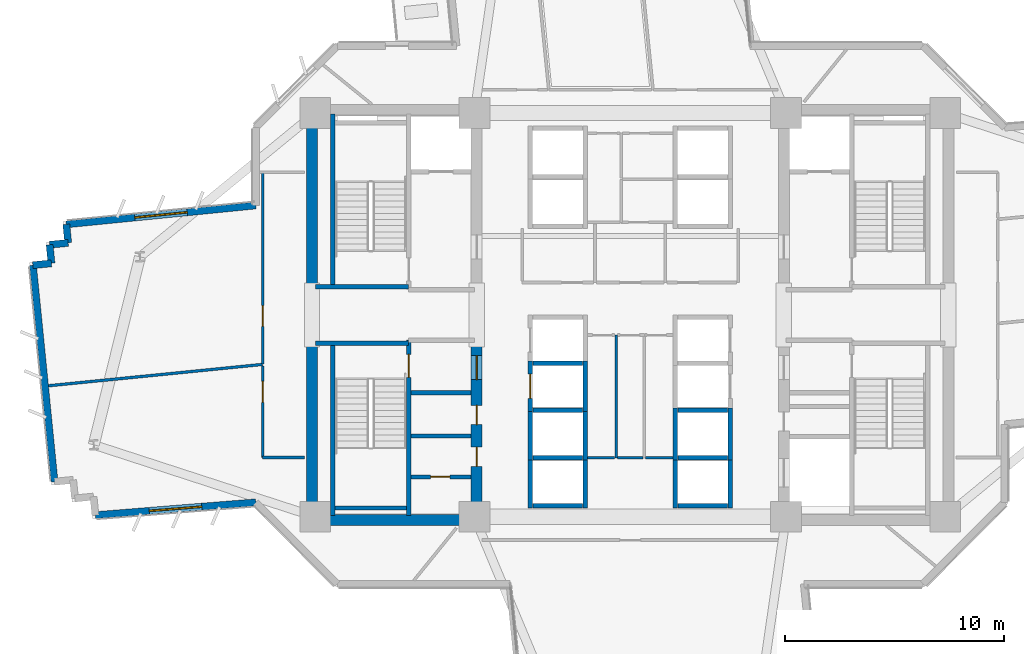
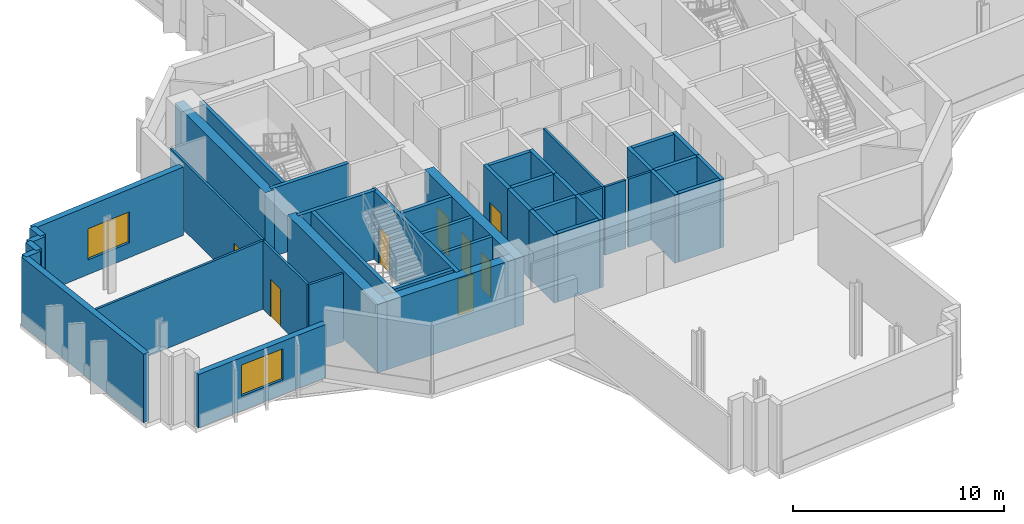
# One storey, part 6 of 14: 45 walls, 8 doors, 2 windows, 10 openings.
"""IFC4 building model written with IfcOpenShell, lengths in metres."""

from ifc_helpers import new_model, si_unit, direction, frame, frame_2d, origin, place, context, subcontext, project, spatial, rectangle, extrude, source, transform, mapped, material, layer, layer_set, type_object, element, fill, save


model = new_model("IFC4")

# Units and contexts
model_context = context("Model", 3, precision=1e-05, world=origin(), true_north=direction((0.0, 1.0)))
body_context = subcontext(model_context, "Body", "Model", "MODEL_VIEW")
ifc_project = project(units=[si_unit("LENGTHUNIT", "METRE"), si_unit("AREAUNIT", "SQUARE_METRE"), si_unit("VOLUMEUNIT", "CUBIC_METRE"), si_unit("PLANEANGLEUNIT", "RADIAN"), si_unit("MASSUNIT", "GRAM", prefix="KILO")], contexts=[model_context])

# Site, building, storey
site_placement = place(None, origin())
site = spatial("IfcSite", under=ifc_project, at=site_placement, CompositionType="ELEMENT")
building_placement = place(site_placement, origin())
building = spatial("IfcBuilding", under=site, at=building_placement, Name="Zahravan Cultural Tower", CompositionType="ELEMENT")
storey_placement = place(building_placement, frame((0.0, 0.0, 92.10009765625)))
storey = spatial("IfcBuildingStorey", under=building, at=storey_placement, Name="L20", CompositionType="ELEMENT", Elevation=92.10009765625)

# Wall, openings, doors
ifc_material_1 = material(Name="Concrete C60/75", Category="concrete")
ifc_layer_1 = layer(ifc_material_1, 0.5)
ifc_layer_set_1 = layer_set([ifc_layer_1], Name="Concrete C60/75")
wall_type_1 = type_object("IfcWallType", Name="CW-SHEAR-500-C60", PredefinedType="SHEAR", material=ifc_layer_set_1)
wall_1_placement = place(storey_placement, frame((29.0, 17.39990234375, 0.0), z_axis=(0.0, 0.0, 1.0), x_axis=(0.0, 1.0, 0.0)))
wall_1 = element("IfcWall", 1, at=wall_1_placement, inside=storey, type_object=wall_type_1, Name="L20 Core Shear Wall CW-W-ES-L20", PredefinedType="SHEAR", context=body_context, shape_type="SweptSolid", body=[
    extrude(rectangle(XDim=8.550048828125, YDim=0.5, at=frame_2d((4.27490234375, 0.0))), origin(), (0.0, 0.0, 1.0), 3.949951171875),
])
opening_1_placement = place(wall_1_placement, frame((6.64990234375, 0.0, 0.0)))
opening_1 = element("IfcOpeningElement", 2, at=opening_1_placement, cuts=wall_1, Name="Opening D-L20-07", PredefinedType="OPENING", context=body_context, shape_type="SweptSolid", body=[
    extrude(rectangle(XDim=1.10009765625, YDim=2.199951171875, at=frame_2d((0.550048828125, 1.10009765625))), frame((0.0, 0.260009765625, 0.0), z_axis=(0.0, -1.0, 0.0), x_axis=(1.0, 0.0, 0.0)), (0.0, 0.0, 1.0), 0.52001953125),
])
opening_2_placement = place(wall_1_placement, frame((2.699951171875, 0.0, 0.0)))
opening_2 = element("IfcOpeningElement", 3, at=opening_2_placement, cuts=wall_1, Name="Opening D-L20-10", PredefinedType="OPENING", context=body_context, shape_type="SweptSolid", body=[
    extrude(rectangle(XDim=0.8798828125, YDim=2.10009765625, at=frame_2d((0.43994140625, 1.050048828125))), frame((0.0, 0.260009765625, 0.0), z_axis=(0.0, -1.0, 0.0), x_axis=(1.0, 0.0, 0.0)), (0.0, 0.0, 1.0), 0.52001953125),
])
opening_3_placement = place(wall_1_placement, frame((4.60009765625, 0.0, 0.0)))
opening_3 = element("IfcOpeningElement", 4, at=opening_3_placement, cuts=wall_1, Name="Opening D-L20-11", PredefinedType="OPENING", context=body_context, shape_type="SweptSolid", body=[
    extrude(rectangle(XDim=0.8798828125, YDim=2.10009765625, at=frame_2d((0.43994140625, 1.050048828125))), frame((0.0, 0.260009765625, 0.0), z_axis=(0.0, -1.0, 0.0), x_axis=(1.0, 0.0, 0.0)), (0.0, 0.0, 1.0), 0.52001953125),
])
ifc_material_2 = material(Name="Steel ASTM A572 Grade 50", Category="steel")
door_type_1 = type_object("IfcDoorType", Name="DR-LOBBY-1100", OperationType="NOTDEFINED", PredefinedType="DOOR", material=ifc_material_2)
shared_shape_1 = source(origin(), body_context, "Body", "SweptSolid", [
    extrude(rectangle(XDim=1.10009765625, YDim=2.199951171875, at=frame_2d((0.550048828125, 1.10009765625))), frame((0.0, 0.02490234375, 0.0), z_axis=(0.0, -1.0, 0.0), x_axis=(1.0, 0.0, 0.0)), (0.0, 0.0, 1.0), 0.050048828125),
])
door_1_placement = place(opening_1_placement, origin())
door_1 = element("IfcDoor", 5, at=door_1_placement, inside=storey, type_object=door_type_1, Name="L20 Door D-L20-07", OperationType="SINGLE_SWING_RIGHT", OverallHeight=2.199951171875, OverallWidth=1.10009765625, PredefinedType="DOOR", context=body_context, shape_type="MappedRepresentation", body=[
    mapped(shared_shape_1, transform((0.0, 0.0, 0.0), x_axis=(1.0, 0.0, 0.0), y_axis=(0.0, 1.0, 0.0), z_axis=(0.0, 0.0, 1.0), scale=1.0)),
])
fill(opening_1, door_1)
door_type_2 = type_object("IfcDoorType", Name="DR-SVC-880", OperationType="NOTDEFINED", PredefinedType="DOOR", material=ifc_material_2)
shared_shape_2 = source(origin(), body_context, "Body", "SweptSolid", [
    extrude(rectangle(XDim=0.8798828125, YDim=2.10009765625, at=frame_2d((0.43994140625, 1.050048828125))), frame((0.0, 0.02490234375, 0.0), z_axis=(0.0, -1.0, 0.0), x_axis=(1.0, 0.0, 0.0)), (0.0, 0.0, 1.0), 0.050048828125),
])
door_2_placement = place(opening_2_placement, origin())
door_2 = element("IfcDoor", 6, at=door_2_placement, inside=storey, type_object=door_type_2, Name="L20 Door D-L20-10", OperationType="SINGLE_SWING_LEFT", OverallHeight=2.10009765625, OverallWidth=0.8798828125, PredefinedType="DOOR", context=body_context, shape_type="MappedRepresentation", body=[
    mapped(shared_shape_2, transform((0.0, 0.0, 0.0), x_axis=(1.0, 0.0, 0.0), y_axis=(0.0, 1.0, 0.0), z_axis=(0.0, 0.0, 1.0), scale=1.0)),
])
fill(opening_2, door_2)
door_3_placement = place(opening_3_placement, origin())
door_3 = element("IfcDoor", 7, at=door_3_placement, inside=storey, type_object=door_type_2, Name="L20 Door D-L20-11", OperationType="SINGLE_SWING_RIGHT", OverallHeight=2.10009765625, OverallWidth=0.8798828125, PredefinedType="DOOR", context=body_context, shape_type="MappedRepresentation", body=[
    mapped(shared_shape_2, transform((0.0, 0.0, 0.0), x_axis=(1.0, 0.0, 0.0), y_axis=(0.0, 1.0, 0.0), z_axis=(0.0, 0.0, 1.0), scale=1.0)),
])
fill(opening_3, door_3)

# Wall, opening, window
ifc_material_3 = material(Name="Precast concrete C40/50", Category="concrete")
ifc_layer_2 = layer(ifc_material_3, 0.320068359375)
ifc_layer_set_2 = layer_set([ifc_layer_2], Name="Precast concrete C40/50")
wall_type_2 = type_object("IfcWallType", Name="EW-TC-320", PredefinedType="SOLIDWALL", material=ifc_layer_set_2)
wall_2_placement = place(storey_placement, frame((18.93994140625, 18.4580078125, 0.0), z_axis=(0.0, 0.0, 1.0), x_axis=(-0.996827539556, -0.079591811023, 0.0)))
wall_2 = element("IfcWall", 8, at=wall_2_placement, inside=storey, type_object=wall_type_2, Name="L20 Exterior Masonry Frame Wall 01", PredefinedType="SOLIDWALL", context=body_context, shape_type="SweptSolid", body=[
    extrude(rectangle(XDim=7.337158203125, YDim=0.320068359375, at=frame_2d((3.66845703125, 0.0))), origin(), (0.0, 0.0, 1.0), 3.079833984375),
])
opening_4_placement = place(wall_2_placement, frame((2.468994140625, 0.0, 0.85009765625)))
opening_4 = element("IfcOpeningElement", 9, at=opening_4_placement, cuts=wall_2, Name="Opening WN-01", PredefinedType="OPENING", context=body_context, shape_type="SweptSolid", body=[
    extrude(rectangle(XDim=2.39990234375, YDim=1.800048828125, at=frame_2d((1.199951171875, 0.89990234375))), frame((0.0, 0.169921875, 0.0), z_axis=(0.0, -1.0, 0.0), x_axis=(1.0, 0.0, 0.0)), (0.0, 0.0, 1.0), 0.340087890625),
])
ifc_material_4 = material(Name="Low-E solar-control double glazing", Category="glass")
window_type = type_object("IfcWindowType", Name="WN-REC-2400X1800", PartitioningType="DOUBLE_PANEL_VERTICAL", PredefinedType="WINDOW", material=ifc_material_4)
shared_shape_3 = source(origin(), body_context, "Body", "SweptSolid", [
    extrude(rectangle(XDim=2.39990234375, YDim=1.800048828125, at=frame_2d((1.199951171875, 0.89990234375))), frame((0.0, 0.030029296875, 0.0), z_axis=(0.0, -1.0, 0.0), x_axis=(1.0, 0.0, 0.0)), (0.0, 0.0, 1.0), 0.06005859375),
])
window_1_placement = place(opening_4_placement, origin())
window_1 = element("IfcWindow", 10, at=window_1_placement, inside=storey, type_object=window_type, Name="L20 Recessed Solar Window 01", OverallHeight=1.800048828125, OverallWidth=2.39990234375, PartitioningType="DOUBLE_PANEL_VERTICAL", PredefinedType="WINDOW", context=body_context, shape_type="MappedRepresentation", body=[
    mapped(shared_shape_3, transform((0.0, 0.0, 0.0), x_axis=(1.0, 0.0, 0.0), y_axis=(0.0, 1.0, 0.0), z_axis=(0.0, 0.0, 1.0), scale=1.0)),
])
fill(opening_4, window_1)

wall_3_placement = place(storey_placement, frame((10.302978515625, 31.128173828125, 0.0), z_axis=(0.0, 0.0, 1.0), x_axis=(0.995055831351, 0.099317130918, 0.0)))
wall_3 = element("IfcWall", 11, at=wall_3_placement, inside=storey, type_object=wall_type_2, Name="L20 Exterior Masonry Frame Wall 11", PredefinedType="SOLIDWALL", context=body_context, shape_type="SweptSolid", body=[
    extrude(rectangle(XDim=8.679931640625, YDim=0.320068359375, at=frame_2d((4.33984375, 0.0))), origin(), (0.0, 0.0, 1.0), 3.949951171875),
])
opening_5_placement = place(wall_3_placement, frame((3.139892578125, 0.0, 0.85009765625)))
opening_5 = element("IfcOpeningElement", 12, at=opening_5_placement, cuts=wall_3, Name="Opening WN-01", PredefinedType="OPENING", context=body_context, shape_type="SweptSolid", body=[
    extrude(rectangle(XDim=2.39990234375, YDim=1.800048828125, at=frame_2d((1.199951171875, 0.89990234375))), frame((0.0, 0.169921875, 0.0), z_axis=(0.0, -1.0, 0.0), x_axis=(1.0, 0.0, 0.0)), (0.0, 0.0, 1.0), 0.340087890625),
])
window_2_placement = place(opening_5_placement, origin())
window_2 = element("IfcWindow", 13, at=window_2_placement, inside=storey, type_object=window_type, Name="L20 Recessed Solar Window 02", OverallHeight=1.800048828125, OverallWidth=2.39990234375, PartitioningType="DOUBLE_PANEL_VERTICAL", PredefinedType="WINDOW", context=body_context, shape_type="MappedRepresentation", body=[
    mapped(shared_shape_3, transform((0.0, 0.0, 0.0), x_axis=(1.0, 0.0, 0.0), y_axis=(0.0, 1.0, 0.0), z_axis=(0.0, 0.0, 1.0), scale=1.0)),
])
fill(opening_5, window_2)

# Wall, opening, door
ifc_material_5 = material(Name="Gypsum plasterboard partition")
ifc_layer_3 = layer(ifc_material_5, 0.179931640625)
ifc_layer_set_3 = layer_set([ifc_layer_3], Name="Gypsum plasterboard partition")
wall_type_3 = type_object("IfcWallType", Name="W-COMP-180", PredefinedType="PARTITIONING", material=ifc_layer_set_3)
wall_4_placement = place(storey_placement, frame((26.0, 19.6201171875, 0.0), z_axis=(0.0, 0.0, 1.0), x_axis=(1.0, 0.0, 0.0)))
wall_4 = element("IfcWall", 14, at=wall_4_placement, inside=storey, type_object=wall_type_3, Name="L20 Interior Wall 026", PredefinedType="PARTITIONING", context=body_context, shape_type="SweptSolid", body=[
    extrude(rectangle(XDim=2.75, YDim=0.179931640625, at=frame_2d((1.375, 0.0))), origin(), (0.0, 0.0, 1.0), 3.949951171875),
])
opening_6_placement = place(wall_4_placement, frame((0.89990234375, 0.0, 0.0)))
opening_6 = element("IfcOpeningElement", 15, at=opening_6_placement, cuts=wall_4, Name="Opening D-L20-09", PredefinedType="OPENING", context=body_context, shape_type="SweptSolid", body=[
    extrude(rectangle(XDim=0.8798828125, YDim=2.10009765625, at=frame_2d((0.43994140625, 1.050048828125))), frame((0.0, 0.099853515625, 0.0), z_axis=(0.0, -1.0, 0.0), x_axis=(1.0, 0.0, 0.0)), (0.0, 0.0, 1.0), 0.199951171875),
])
door_4_placement = place(opening_6_placement, origin())
door_4 = element("IfcDoor", 16, at=door_4_placement, inside=storey, type_object=door_type_2, Name="L20 Door D-L20-09", OperationType="SINGLE_SWING_RIGHT", OverallHeight=2.10009765625, OverallWidth=0.8798828125, PredefinedType="DOOR", context=body_context, shape_type="MappedRepresentation", body=[
    mapped(shared_shape_2, transform((0.0, 0.0, 0.0), x_axis=(1.0, 0.0, 0.0), y_axis=(0.0, 1.0, 0.0), z_axis=(0.0, 0.0, 1.0), scale=1.0)),
])
fill(opening_6, door_4)

ifc_layer_4 = layer(ifc_material_5, 0.125)
ifc_layer_set_4 = layer_set([ifc_layer_4], Name="Gypsum plasterboard partition")
wall_type_4 = type_object("IfcWallType", Name="W-PART-125", PredefinedType="PARTITIONING", material=ifc_layer_set_4)
wall_5_placement = place(storey_placement, frame((19.25, 24.677490234375, 0.0), z_axis=(0.0, 0.0, 1.0), x_axis=(0.000116979586, -0.999999993158, 0.0)))
wall_5 = element("IfcWall", 17, at=wall_5_placement, inside=storey, type_object=wall_type_4, Name="L20 Interior Wall 108", PredefinedType="PARTITIONING", context=body_context, shape_type="SweptSolid", body=[
    extrude(rectangle(XDim=4.174072265625, YDim=0.125, at=frame_2d((2.0869140625, 0.0))), origin(), (0.0, 0.0, 1.0), 3.949951171875),
])
opening_7_placement = place(wall_5_placement, frame((0.709228515625, 0.0, 0.0)))
opening_7 = element("IfcOpeningElement", 18, at=opening_7_placement, cuts=wall_5, Name="Opening D-L20-28", PredefinedType="OPENING", context=body_context, shape_type="SweptSolid", body=[
    extrude(rectangle(XDim=0.949951171875, YDim=2.14990234375, at=frame_2d((0.47509765625, 1.074951171875))), frame((0.0, 0.072509765625, 0.0), z_axis=(0.0, -1.0, 0.0), x_axis=(1.0, 0.0, 0.0)), (0.0, 0.0, 1.0), 0.14501953125),
])
ifc_material_6 = material(Name="Anodised bronze-aluminium mullion", Category="aluminium")
door_type_3 = type_object("IfcDoorType", Name="DR-ROOM-950", OperationType="NOTDEFINED", PredefinedType="DOOR", material=ifc_material_6)
shared_shape_4 = source(origin(), body_context, "Body", "SweptSolid", [
    extrude(rectangle(XDim=0.949951171875, YDim=2.14990234375, at=frame_2d((0.47509765625, 1.074951171875))), frame((0.0, 0.02490234375, 0.0), z_axis=(0.0, -1.0, 0.0), x_axis=(1.0, 0.0, 0.0)), (0.0, 0.0, 1.0), 0.050048828125),
])
door_5_placement = place(opening_7_placement, origin())
door_5 = element("IfcDoor", 19, at=door_5_placement, inside=storey, type_object=door_type_3, Name="L20 Door D-L20-28", OperationType="SINGLE_SWING_LEFT", OverallHeight=2.14990234375, OverallWidth=0.949951171875, PredefinedType="DOOR", context=body_context, shape_type="MappedRepresentation", body=[
    mapped(shared_shape_4, transform((0.0, 0.0, 0.0), x_axis=(1.0, 0.0, 0.0), y_axis=(0.0, 1.0, 0.0), z_axis=(0.0, 0.0, 1.0), scale=1.0)),
])
fill(opening_7, door_5)

wall_6_placement = place(storey_placement, frame((19.252685546875, 33.497314453125, 0.0), z_axis=(0.0, 0.0, 1.0), x_axis=(-0.000307554646, -0.999999952705, 0.0)))
wall_6 = element("IfcWall", 20, at=wall_6_placement, inside=storey, type_object=wall_type_4, Name="L20 Interior Wall 112", PredefinedType="PARTITIONING", context=body_context, shape_type="SweptSolid", body=[
    extrude(rectangle(XDim=8.73193359375, YDim=0.125, at=frame_2d((4.365966796875, 0.0))), origin(), (0.0, 0.0, 1.0), 3.949951171875),
])
opening_8_placement = place(wall_6_placement, frame((6.06982421875, 0.0, 0.0)))
opening_8 = element("IfcOpeningElement", 21, at=opening_8_placement, cuts=wall_6, Name="Opening D-L20-27", PredefinedType="OPENING", context=body_context, shape_type="SweptSolid", body=[
    extrude(rectangle(XDim=0.949951171875, YDim=2.14990234375, at=frame_2d((0.47509765625, 1.074951171875))), frame((0.0, 0.072509765625, 0.0), z_axis=(0.0, -1.0, 0.0), x_axis=(1.0, 0.0, 0.0)), (0.0, 0.0, 1.0), 0.14501953125),
])
door_6_placement = place(opening_8_placement, origin())
door_6 = element("IfcDoor", 22, at=door_6_placement, inside=storey, type_object=door_type_3, Name="L20 Door D-L20-27", OperationType="SINGLE_SWING_RIGHT", OverallHeight=2.14990234375, OverallWidth=0.949951171875, PredefinedType="DOOR", context=body_context, shape_type="MappedRepresentation", body=[
    mapped(shared_shape_4, transform((0.0, 0.0, 0.0), x_axis=(1.0, 0.0, 0.0), y_axis=(0.0, 1.0, 0.0), z_axis=(0.0, 0.0, 1.0), scale=1.0)),
])
fill(opening_8, door_6)

ifc_material_7 = material(Name="Concrete C45/55", Category="concrete")
ifc_layer_5 = layer(ifc_material_7, 0.199951171875)
ifc_layer_set_5 = layer_set([ifc_layer_5], Name="Concrete C45/55")
wall_type_5 = type_object("IfcWallType", Name="W-SHAFT-200", PredefinedType="SOLIDWALL", material=ifc_layer_set_5)
wall_7_placement = place(storey_placement, frame((25.89990234375, 17.85009765625, 0.0), z_axis=(0.0, 0.0, 1.0), x_axis=(0.0, 1.0, 0.0)))
wall_7 = element("IfcWall", 23, at=wall_7_placement, inside=storey, type_object=wall_type_5, Name="L20 Interior Wall 005", PredefinedType="SOLIDWALL", context=body_context, shape_type="SweptSolid", body=[
    extrude(rectangle(XDim=8.0, YDim=0.199951171875, at=frame_2d((4.0, 0.0))), origin(), (0.0, 0.0, 1.0), 3.949951171875),
])
opening_9_placement = place(wall_7_placement, frame((6.300048828125, 0.0, 0.0)))
opening_9 = element("IfcOpeningElement", 24, at=opening_9_placement, cuts=wall_7, Name="Opening D-L20-04", PredefinedType="OPENING", context=body_context, shape_type="SweptSolid", body=[
    extrude(rectangle(XDim=1.050048828125, YDim=2.14990234375, at=frame_2d((0.52490234375, 1.074951171875))), frame((0.0, 0.10986328125, 0.0), z_axis=(0.0, -1.0, 0.0), x_axis=(1.0, 0.0, 0.0)), (0.0, 0.0, 1.0), 0.219970703125),
])
door_type_4 = type_object("IfcDoorType", Name="DR-STAIR-1050", OperationType="NOTDEFINED", PredefinedType="DOOR", material=ifc_material_2)
shared_shape_5 = source(origin(), body_context, "Body", "SweptSolid", [
    extrude(rectangle(XDim=1.050048828125, YDim=2.14990234375, at=frame_2d((0.52490234375, 1.074951171875))), frame((0.0, 0.02490234375, 0.0), z_axis=(0.0, -1.0, 0.0), x_axis=(1.0, 0.0, 0.0)), (0.0, 0.0, 1.0), 0.050048828125),
])
door_7_placement = place(opening_9_placement, origin())
door_7 = element("IfcDoor", 25, at=door_7_placement, inside=storey, type_object=door_type_4, Name="L20 Door D-L20-04", OperationType="SINGLE_SWING_LEFT", OverallHeight=2.14990234375, OverallWidth=1.050048828125, PredefinedType="DOOR", context=body_context, shape_type="MappedRepresentation", body=[
    mapped(shared_shape_5, transform((0.0, 0.0, 0.0), x_axis=(1.0, 0.0, 0.0), y_axis=(0.0, 1.0, 0.0), z_axis=(0.0, 0.0, 1.0), scale=1.0)),
])
fill(opening_9, door_7)

wall_8_placement = place(storey_placement, frame((31.449951171875, 22.60009765625, 0.0), z_axis=(0.0, 0.0, 1.0), x_axis=(0.0, 1.0, 0.0)))
wall_8 = element("IfcWall", 26, at=wall_8_placement, inside=storey, type_object=wall_type_5, Name="L20 Interior Wall 061", PredefinedType="SOLIDWALL", context=body_context, shape_type="SweptSolid", body=[
    extrude(rectangle(XDim=2.2998046875, YDim=0.199951171875, at=frame_2d((1.14990234375, 0.0))), origin(), (0.0, 0.0, 1.0), 3.949951171875),
])
opening_10_placement = place(wall_8_placement, frame((0.60009765625, 0.0, 0.0)))
opening_10 = element("IfcOpeningElement", 27, at=opening_10_placement, cuts=wall_8, Name="Opening LD-L20-05", PredefinedType="OPENING", context=body_context, shape_type="SweptSolid", body=[
    extrude(rectangle(XDim=1.10009765625, YDim=2.14990234375, at=frame_2d((0.550048828125, 1.074951171875))), frame((0.0, 0.10986328125, 0.0), z_axis=(0.0, -1.0, 0.0), x_axis=(1.0, 0.0, 0.0)), (0.0, 0.0, 1.0), 0.219970703125),
])
door_type_5 = type_object("IfcDoorType", Name="DR-LIFT-1100", OperationType="DOUBLE_DOOR_SLIDING", PredefinedType="DOOR", material=ifc_material_2)
shared_shape_6 = source(origin(), body_context, "Body", "SweptSolid", [
    extrude(rectangle(XDim=1.10009765625, YDim=2.14990234375, at=frame_2d((0.550048828125, 1.074951171875))), frame((0.0, 0.02490234375, 0.0), z_axis=(0.0, -1.0, 0.0), x_axis=(1.0, 0.0, 0.0)), (0.0, 0.0, 1.0), 0.050048828125),
])
door_8_placement = place(opening_10_placement, origin())
door_8 = element("IfcDoor", 28, at=door_8_placement, inside=storey, type_object=door_type_5, Name="L20 Door LD-L20-05", OperationType="DOUBLE_DOOR_SLIDING", OverallHeight=2.14990234375, OverallWidth=1.10009765625, PredefinedType="DOOR", context=body_context, shape_type="MappedRepresentation", body=[
    mapped(shared_shape_6, transform((0.0, 0.0, 0.0), x_axis=(1.0, 0.0, 0.0), y_axis=(0.0, 1.0, 0.0), z_axis=(0.0, 0.0, 1.0), scale=1.0)),
])
fill(opening_10, door_8)

# Walls
shared_shape_7 = source(origin(), body_context, "Body", "SweptSolid", [
    extrude(rectangle(XDim=8.550048828125, YDim=0.5, at=frame_2d((4.27490234375, 0.0))), origin(), (0.0, 0.0, 1.0), 3.949951171875),
])
for number, where, z_axis, x_axis, name in (
    (29, (21.5, 17.39990234375, 0.0), (0.0, 0.0, 1.0), (0.0, 1.0, 0.0), "L20 Core Shear Wall CW-W-WS-L20"),
    (30, (21.5, 28.050048828125, 0.0), (0.0, 0.0, 1.0), (0.0, 1.0, 0.0), "L20 Core Shear Wall CW-W-WN-L20"),
):
    element("IfcWall", number, at=place(storey_placement, frame(where, z_axis=z_axis, x_axis=x_axis)), inside=storey, type_object=wall_type_1, Name=name, PredefinedType="SHEAR", context=body_context, shape_type="MappedRepresentation", body=[
        mapped(shared_shape_7, transform((0.0, 0.0, 0.0), x_axis=(1.0, 0.0, 0.0), y_axis=(0.0, 1.0, 0.0), z_axis=(0.0, 0.0, 1.0), scale=1.0)),
    ])
shared_shape_8 = source(origin(), body_context, "Body", "SweptSolid", [
    extrude(rectangle(XDim=7.0, YDim=0.5, at=frame_2d((3.5, 0.0))), origin(), (0.0, 0.0, 1.0), 3.949951171875),
])
wall_9_placement = place(storey_placement, frame((21.75, 17.64990234375, 0.0), z_axis=(0.0, 0.0, 1.0), x_axis=(1.0, 0.0, 0.0)))
element("IfcWall", 31, at=wall_9_placement, inside=storey, type_object=wall_type_1, Name="L20 Core Shear Wall CW-W-S-L20", PredefinedType="SHEAR", context=body_context, shape_type="MappedRepresentation", body=[
    mapped(shared_shape_8, transform((0.0, 0.0, 0.0), x_axis=(1.0, 0.0, 0.0), y_axis=(0.0, 1.0, 0.0), z_axis=(0.0, 0.0, 1.0), scale=1.0)),
])
shared_shape_9 = source(origin(), body_context, "Body", "SweptSolid", [
    extrude(rectangle(XDim=0.849853515625, YDim=0.320068359375, at=frame_2d((0.4248046875, 0.0))), origin(), (0.0, 0.0, 1.0), 3.949951171875),
])
for number, where, z_axis, x_axis, name in (
    (32, (8.7802734375, 29.267822265625, 0.0), (0.0, 0.0, 1.0), (0.995048560111, 0.09938995433, 0.0), "L20 Exterior Masonry Frame Wall 07"),
    (33, (9.6259765625, 29.352294921875, 0.0), (0.0, 0.0, 1.0), (-0.09938995433, 0.995048560111, 0.0), "L20 Exterior Masonry Frame Wall 08"),
    (34, (9.54150390625, 30.197998046875, 0.0), (0.0, 0.0, 1.0), (0.995048560111, 0.09938995433, 0.0), "L20 Exterior Masonry Frame Wall 09"),
    (35, (10.38720703125, 30.282470703125, 0.0), (0.0, 0.0, 1.0), (-0.099105525559, 0.995076929088, 0.0), "L20 Exterior Masonry Frame Wall 10"),
):
    element("IfcWall", number, at=place(storey_placement, frame(where, z_axis=z_axis, x_axis=x_axis)), inside=storey, type_object=wall_type_2, Name=name, PredefinedType="SOLIDWALL", context=body_context, shape_type="MappedRepresentation", body=[
        mapped(shared_shape_9, transform((0.0, 0.0, 0.0), x_axis=(1.0, 0.0, 0.0), y_axis=(0.0, 1.0, 0.0), z_axis=(0.0, 0.0, 1.0), scale=1.0)),
    ])
shared_shape_10 = source(origin(), body_context, "Body", "SweptSolid", [
    extrude(rectangle(XDim=9.920166015625, YDim=0.320068359375, at=frame_2d((4.9599609375, 0.0))), origin(), (0.0, 0.0, 1.0), 3.949951171875),
])
wall_10_placement = place(storey_placement, frame((9.765380859375, 19.396728515625, 0.0), z_axis=(0.0, 0.0, 1.0), x_axis=(-0.099303907908, 0.995057151059, 0.0)))
element("IfcWall", 36, at=wall_10_placement, inside=storey, type_object=wall_type_2, Name="L20 Exterior Masonry Frame Wall 06", PredefinedType="SOLIDWALL", context=body_context, shape_type="MappedRepresentation", body=[
    mapped(shared_shape_10, transform((0.0, 0.0, 0.0), x_axis=(1.0, 0.0, 0.0), y_axis=(0.0, 1.0, 0.0), z_axis=(0.0, 0.0, 1.0), scale=1.0)),
])
shared_shape_11 = source(origin(), body_context, "Body", "SweptSolid", [
    extrude(rectangle(XDim=7.869873046875, YDim=0.199951171875, at=frame_2d((3.93505859375, 0.0))), origin(), (0.0, 0.0, 1.0), 3.949951171875),
])
for number, where, z_axis, x_axis, name in (
    (37, (22.449951171875, 17.85009765625, 0.0), (0.0, 0.0, 1.0), (0.0, 1.0, 0.0), "L20 Interior Wall 001"),
    (38, (22.449951171875, 28.280029296875, 0.0), (0.0, 0.0, 1.0), (0.0, 1.0, 0.0), "L20 Interior Wall 002"),
):
    element("IfcWall", number, at=place(storey_placement, frame(where, z_axis=z_axis, x_axis=x_axis)), inside=storey, type_object=wall_type_5, Name=name, PredefinedType="SOLIDWALL", context=body_context, shape_type="MappedRepresentation", body=[
        mapped(shared_shape_11, transform((0.0, 0.0, 0.0), x_axis=(1.0, 0.0, 0.0), y_axis=(0.0, 1.0, 0.0), z_axis=(0.0, 0.0, 1.0), scale=1.0)),
    ])
shared_shape_12 = source(origin(), body_context, "Body", "SweptSolid", [
    extrude(rectangle(XDim=4.25, YDim=0.199951171875, at=frame_2d((2.125, 0.0))), origin(), (0.0, 0.0, 1.0), 3.949951171875),
])
for number, where, z_axis, x_axis, name in (
    (39, (21.64990234375, 25.715087890625, 0.0), (0.0, 0.0, 1.0), (1.0, 0.0, 0.0), "L20 Interior Wall 009"),
    (40, (21.64990234375, 28.284912109375, 0.0), (0.0, 0.0, 1.0), (1.0, 0.0, 0.0), "L20 Interior Wall 011"),
):
    element("IfcWall", number, at=place(storey_placement, frame(where, z_axis=z_axis, x_axis=x_axis)), inside=storey, type_object=wall_type_5, Name=name, PredefinedType="SOLIDWALL", context=body_context, shape_type="MappedRepresentation", body=[
        mapped(shared_shape_12, transform((0.0, 0.0, 0.0), x_axis=(1.0, 0.0, 0.0), y_axis=(0.0, 1.0, 0.0), z_axis=(0.0, 0.0, 1.0), scale=1.0)),
    ])
shared_shape_13 = source(origin(), body_context, "Body", "SweptSolid", [
    extrude(rectangle(XDim=3.25, YDim=0.199951171875, at=frame_2d((1.625, 0.0))), origin(), (0.0, 0.0, 1.0), 3.949951171875),
])
wall_11_placement = place(storey_placement, frame((22.550048828125, 18.199951171875, 0.0), z_axis=(0.0, 0.0, 1.0), x_axis=(1.0, 0.0, 0.0)))
element("IfcWall", 41, at=wall_11_placement, inside=storey, type_object=wall_type_5, Name="L20 Interior Wall 019", PredefinedType="SOLIDWALL", context=body_context, shape_type="MappedRepresentation", body=[
    mapped(shared_shape_13, transform((0.0, 0.0, 0.0), x_axis=(1.0, 0.0, 0.0), y_axis=(0.0, 1.0, 0.0), z_axis=(0.0, 0.0, 1.0), scale=1.0)),
])
shared_shape_14 = source(origin(), body_context, "Body", "SweptSolid", [
    extrude(rectangle(XDim=2.75, YDim=0.199951171875, at=frame_2d((1.375, 0.0))), origin(), (0.0, 0.0, 1.0), 3.949951171875),
])
wall_12_placement = place(storey_placement, frame((26.0, 23.449951171875, 0.0), z_axis=(0.0, 0.0, 1.0), x_axis=(1.0, 0.0, 0.0)))
element("IfcWall", 42, at=wall_12_placement, inside=storey, type_object=wall_type_5, Name="L20 Interior Wall 023", PredefinedType="SOLIDWALL", context=body_context, shape_type="MappedRepresentation", body=[
    mapped(shared_shape_14, transform((0.0, 0.0, 0.0), x_axis=(1.0, 0.0, 0.0), y_axis=(0.0, 1.0, 0.0), z_axis=(0.0, 0.0, 1.0), scale=1.0)),
])
shared_shape_15 = source(origin(), body_context, "Body", "SweptSolid", [
    extrude(rectangle(XDim=2.260009765625, YDim=0.199951171875, at=frame_2d((1.1298828125, 0.0))), origin(), (0.0, 0.0, 1.0), 3.949951171875),
])
for number, where, z_axis, x_axis, name in (
    (43, (31.570068359375, 20.5, 0.0), (0.0, 0.0, 1.0), (1.0, 0.0, 0.0), "L20 Interior Wall 045"),
    (44, (31.570068359375, 22.64990234375, 0.0), (0.0, 0.0, 1.0), (1.0, 0.0, 0.0), "L20 Interior Wall 046"),
    (45, (31.570068359375, 18.300048828125, 0.0), (0.0, 0.0, 1.0), (1.0, 0.0, 0.0), "L20 Interior Wall 049"),
    (46, (38.169921875, 20.5, 0.0), (0.0, 0.0, 1.0), (1.0, 0.0, 0.0), "L20 Interior Wall 052"),
    (47, (38.169921875, 22.64990234375, 0.0), (0.0, 0.0, 1.0), (1.0, 0.0, 0.0), "L20 Interior Wall 053"),
    (48, (38.169921875, 18.300048828125, 0.0), (0.0, 0.0, 1.0), (1.0, 0.0, 0.0), "L20 Interior Wall 056"),
    (49, (31.570068359375, 24.800048828125, 0.0), (0.0, 0.0, 1.0), (1.0, 0.0, 0.0), "L20 Interior Wall 059"),
):
    element("IfcWall", number, at=place(storey_placement, frame(where, z_axis=z_axis, x_axis=x_axis)), inside=storey, type_object=wall_type_5, Name=name, PredefinedType="SOLIDWALL", context=body_context, shape_type="MappedRepresentation", body=[
        mapped(shared_shape_15, transform((0.0, 0.0, 0.0), x_axis=(1.0, 0.0, 0.0), y_axis=(0.0, 1.0, 0.0), z_axis=(0.0, 0.0, 1.0), scale=1.0)),
    ])
shared_shape_16 = source(origin(), body_context, "Body", "SweptSolid", [
    extrude(rectangle(XDim=2.35009765625, YDim=0.199951171875, at=frame_2d((1.175048828125, 0.0))), origin(), (0.0, 0.0, 1.0), 3.949951171875),
])
for number, where, z_axis, x_axis, name in (
    (50, (31.449951171875, 20.39990234375, 0.0), (0.0, 0.0, 1.0), (0.0, 1.0, 0.0), "L20 Interior Wall 043"),
    (51, (33.949951171875, 20.39990234375, 0.0), (0.0, 0.0, 1.0), (0.0, 1.0, 0.0), "L20 Interior Wall 044"),
    (52, (31.449951171875, 18.199951171875, 0.0), (0.0, 0.0, 1.0), (0.0, 1.0, 0.0), "L20 Interior Wall 047"),
    (53, (33.949951171875, 18.199951171875, 0.0), (0.0, 0.0, 1.0), (0.0, 1.0, 0.0), "L20 Interior Wall 048"),
    (54, (38.050048828125, 20.39990234375, 0.0), (0.0, 0.0, 1.0), (0.0, 1.0, 0.0), "L20 Interior Wall 050"),
    (55, (40.550048828125, 20.39990234375, 0.0), (0.0, 0.0, 1.0), (0.0, 1.0, 0.0), "L20 Interior Wall 051"),
    (56, (38.050048828125, 18.199951171875, 0.0), (0.0, 0.0, 1.0), (0.0, 1.0, 0.0), "L20 Interior Wall 054"),
    (57, (40.550048828125, 18.199951171875, 0.0), (0.0, 0.0, 1.0), (0.0, 1.0, 0.0), "L20 Interior Wall 055"),
):
    element("IfcWall", number, at=place(storey_placement, frame(where, z_axis=z_axis, x_axis=x_axis)), inside=storey, type_object=wall_type_5, Name=name, PredefinedType="SOLIDWALL", context=body_context, shape_type="MappedRepresentation", body=[
        mapped(shared_shape_16, transform((0.0, 0.0, 0.0), x_axis=(1.0, 0.0, 0.0), y_axis=(0.0, 1.0, 0.0), z_axis=(0.0, 0.0, 1.0), scale=1.0)),
    ])
shared_shape_17 = source(origin(), body_context, "Body", "SweptSolid", [
    extrude(rectangle(XDim=2.2998046875, YDim=0.199951171875, at=frame_2d((1.14990234375, 0.0))), origin(), (0.0, 0.0, 1.0), 3.949951171875),
])
wall_13_placement = place(storey_placement, frame((33.949951171875, 22.60009765625, 0.0), z_axis=(0.0, 0.0, 1.0), x_axis=(0.0, 1.0, 0.0)))
element("IfcWall", 58, at=wall_13_placement, inside=storey, type_object=wall_type_5, Name="L20 Interior Wall 062", PredefinedType="SOLIDWALL", context=body_context, shape_type="MappedRepresentation", body=[
    mapped(shared_shape_17, transform((0.0, 0.0, 0.0), x_axis=(1.0, 0.0, 0.0), y_axis=(0.0, 1.0, 0.0), z_axis=(0.0, 0.0, 1.0), scale=1.0)),
])
shared_shape_18 = source(origin(), body_context, "Body", "SweptSolid", [
    extrude(rectangle(XDim=2.75, YDim=0.179931640625, at=frame_2d((1.375, 0.0))), origin(), (0.0, 0.0, 1.0), 3.949951171875),
])
wall_14_placement = place(storey_placement, frame((26.0, 21.47998046875, 0.0), z_axis=(0.0, 0.0, 1.0), x_axis=(1.0, 0.0, 0.0)))
element("IfcWall", 59, at=wall_14_placement, inside=storey, type_object=wall_type_3, Name="L20 Interior Wall 027", PredefinedType="PARTITIONING", context=body_context, shape_type="MappedRepresentation", body=[
    mapped(shared_shape_18, transform((0.0, 0.0, 0.0), x_axis=(1.0, 0.0, 0.0), y_axis=(0.0, 1.0, 0.0), z_axis=(0.0, 0.0, 1.0), scale=1.0)),
])
shared_shape_19 = source(origin(), body_context, "Body", "SweptSolid", [
    extrude(rectangle(XDim=5.590087890625, YDim=0.125, at=frame_2d((2.794921875, 0.0))), origin(), (0.0, 0.0, 1.0), 3.949951171875),
])
wall_15_placement = place(storey_placement, frame((35.360107421875, 20.489990234375, 0.0), z_axis=(0.0, 0.0, 1.0), x_axis=(0.0, 1.0, 0.0)))
element("IfcWall", 60, at=wall_15_placement, inside=storey, type_object=wall_type_4, Name="L20 Interior Wall 076", PredefinedType="PARTITIONING", context=body_context, shape_type="MappedRepresentation", body=[
    mapped(shared_shape_19, transform((0.0, 0.0, 0.0), x_axis=(1.0, 0.0, 0.0), y_axis=(0.0, 1.0, 0.0), z_axis=(0.0, 0.0, 1.0), scale=1.0)),
])
shared_shape_20 = source(origin(), body_context, "Body", "SweptSolid", [
    extrude(rectangle(XDim=1.14501953125, YDim=0.125, at=frame_2d((0.572509765625, 0.0))), origin(), (0.0, 0.0, 1.0), 3.949951171875),
])
wall_16_placement = place(storey_placement, frame((36.572509765625, 20.489990234375, 0.0), z_axis=(0.0, 0.0, 1.0), x_axis=(-1.0, 0.0, 0.0)))
element("IfcWall", 61, at=wall_16_placement, inside=storey, type_object=wall_type_4, Name="L20 Interior Wall 079", PredefinedType="PARTITIONING", context=body_context, shape_type="MappedRepresentation", body=[
    mapped(shared_shape_20, transform((0.0, 0.0, 0.0), x_axis=(1.0, 0.0, 0.0), y_axis=(0.0, 1.0, 0.0), z_axis=(0.0, 0.0, 1.0), scale=1.0)),
])
shared_shape_21 = source(origin(), body_context, "Body", "SweptSolid", [
    extrude(rectangle(XDim=1.237548828125, YDim=0.125, at=frame_2d((0.61865234375, 0.0))), origin(), (0.0, 0.0, 1.0), 3.949951171875),
])
for number, where, z_axis, x_axis, name in (
    (62, (35.29248046875, 20.489990234375, 0.0), (0.0, 0.0, 1.0), (-1.0, 0.0, 0.0), "L20 Interior Wall 081"),
    (63, (37.945068359375, 20.489990234375, 0.0), (0.0, 0.0, 1.0), (-1.0, 0.0, 0.0), "L20 Interior Wall 083"),
):
    element("IfcWall", number, at=place(storey_placement, frame(where, z_axis=z_axis, x_axis=x_axis)), inside=storey, type_object=wall_type_4, Name=name, PredefinedType="PARTITIONING", context=body_context, shape_type="MappedRepresentation", body=[
        mapped(shared_shape_21, transform((0.0, 0.0, 0.0), x_axis=(1.0, 0.0, 0.0), y_axis=(0.0, 1.0, 0.0), z_axis=(0.0, 0.0, 1.0), scale=1.0)),
    ])
shared_shape_22 = source(origin(), body_context, "Body", "SweptSolid", [
    extrude(rectangle(XDim=9.803955078125, YDim=0.125, at=frame_2d((4.90185546875, 0.0))), origin(), (0.0, 0.0, 1.0), 3.949951171875),
])
wall_17_placement = place(storey_placement, frame((9.49462890625, 23.771484375, 0.0), z_axis=(0.0, 0.0, 1.0), x_axis=(0.995053942122, 0.099336057238, 0.0)))
element("IfcWall", 64, at=wall_17_placement, inside=storey, type_object=wall_type_4, Name="L20 Interior Wall 107", PredefinedType="PARTITIONING", context=body_context, shape_type="MappedRepresentation", body=[
    mapped(shared_shape_22, transform((0.0, 0.0, 0.0), x_axis=(1.0, 0.0, 0.0), y_axis=(0.0, 1.0, 0.0), z_axis=(0.0, 0.0, 1.0), scale=1.0)),
])
shared_shape_23 = source(origin(), body_context, "Body", "SweptSolid", [
    extrude(rectangle(XDim=1.89892578125, YDim=0.125, at=frame_2d((0.949462890625, 0.0))), origin(), (0.0, 0.0, 1.0), 3.949951171875),
])
wall_18_placement = place(storey_placement, frame((19.25048828125, 20.50341796875, 0.0), z_axis=(0.0, 0.0, 1.0), x_axis=(0.999999991735, 0.000128567754, 0.0)))
element("IfcWall", 65, at=wall_18_placement, inside=storey, type_object=wall_type_4, Name="L20 Interior Wall 109", PredefinedType="PARTITIONING", context=body_context, shape_type="MappedRepresentation", body=[
    mapped(shared_shape_23, transform((0.0, 0.0, 0.0), x_axis=(1.0, 0.0, 0.0), y_axis=(0.0, 1.0, 0.0), z_axis=(0.0, 0.0, 1.0), scale=1.0)),
])

save(model, "model.ifc")
